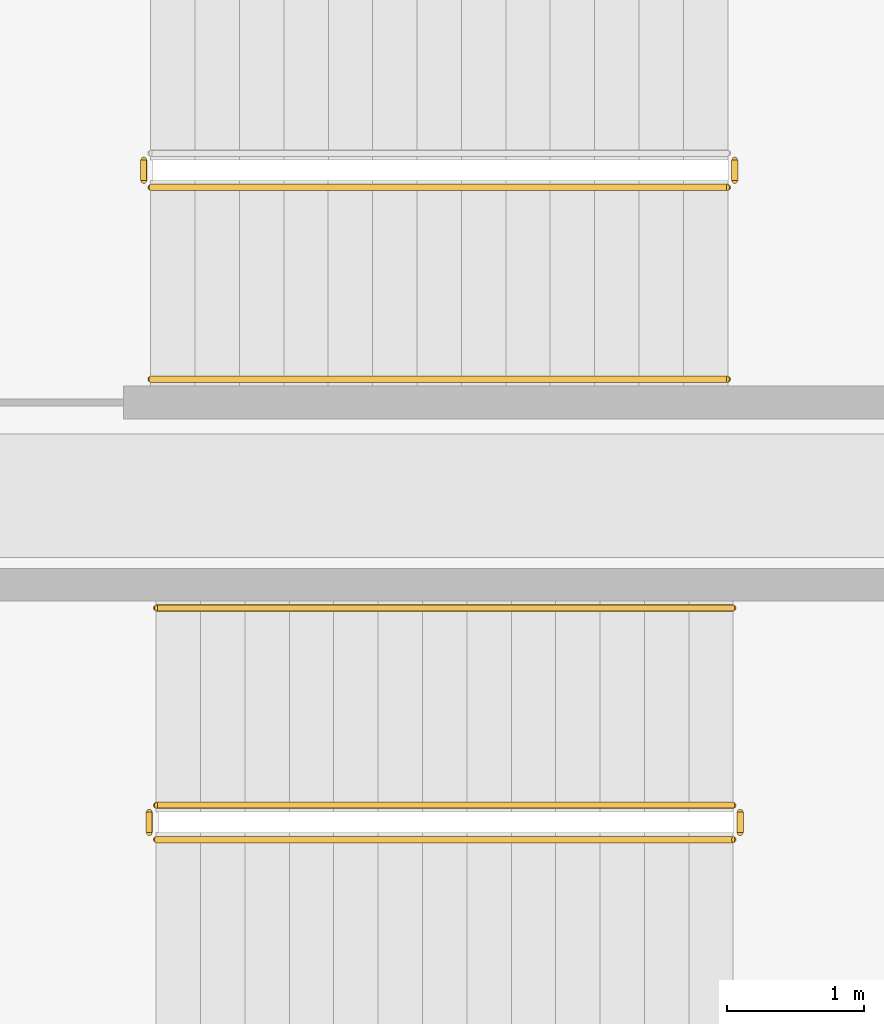
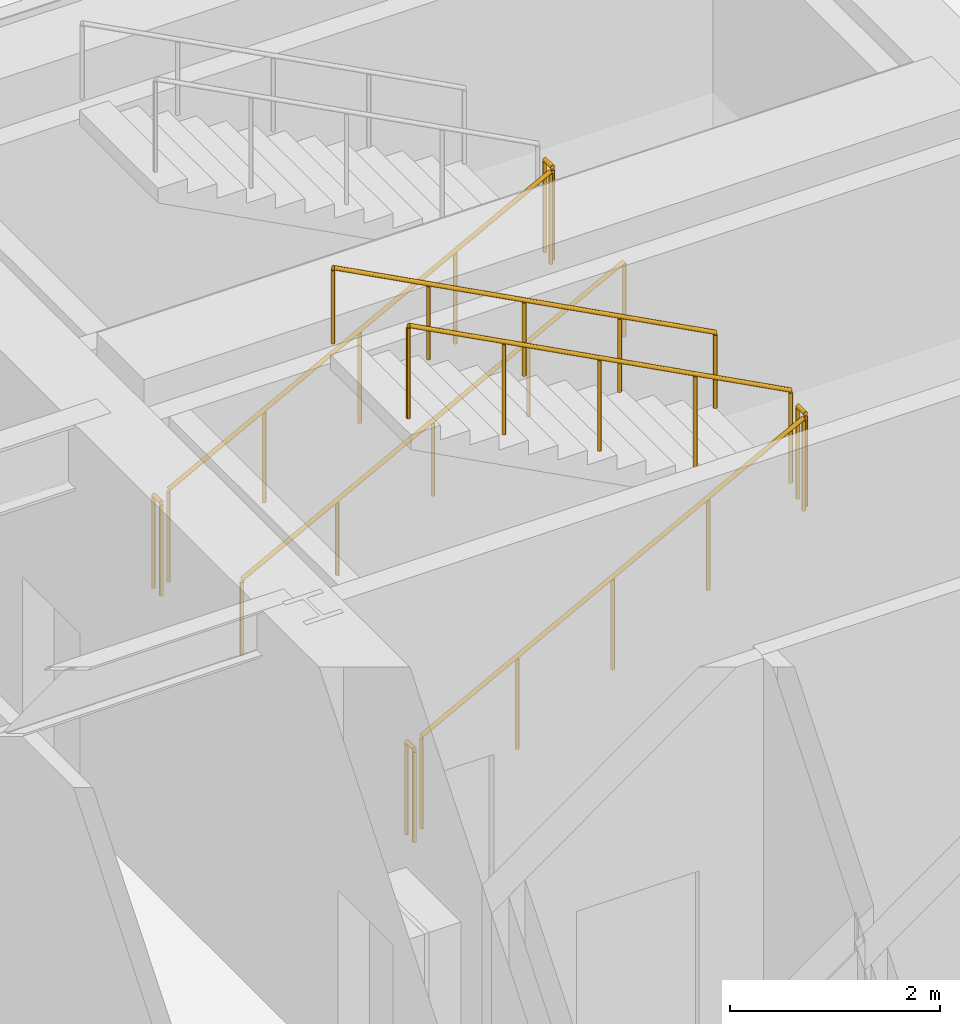
# One storey, part 13 of 14: 9 railings.
"""IFC4 building model written with IfcOpenShell, lengths in metres."""

from ifc_helpers import new_model, si_unit, direction, frame, origin, origin_2d, place, context, subcontext, project, spatial, circle, extrude, material, type_object, element, save


model = new_model("IFC4")

# Units and contexts
model_context = context("Model", 3, precision=1e-05, world=origin(), true_north=direction((0.0, 1.0)))
body_context = subcontext(model_context, "Body", "Model", "MODEL_VIEW")
ifc_project = project(units=[si_unit("LENGTHUNIT", "METRE"), si_unit("AREAUNIT", "SQUARE_METRE"), si_unit("VOLUMEUNIT", "CUBIC_METRE"), si_unit("PLANEANGLEUNIT", "RADIAN"), si_unit("MASSUNIT", "GRAM", prefix="KILO")], contexts=[model_context])

# Site, building, storey
site_placement = place(None, origin())
site = spatial("IfcSite", under=ifc_project, at=site_placement, CompositionType="ELEMENT")
building_placement = place(site_placement, origin())
building = spatial("IfcBuilding", under=site, at=building_placement, Name="Kolvaren Arena Tower", CompositionType="ELEMENT")
storey_placement = place(building_placement, frame((0.0, 0.0, 125.949951171875)))
storey = spatial("IfcBuildingStorey", under=building, at=storey_placement, Name="L29", CompositionType="ELEMENT", Elevation=125.949951171875)

# Railings
ifc_material_1 = material(Name="Painted galvanized steel", Category="steel")
railing_type_1 = type_object("IfcRailingType", Name="GUARD-ST-110", PredefinedType="GUARDRAIL", material=ifc_material_1)
railing_1_placement = place(storey_placement, frame((52.719970703125, 31.639892578125, 0.17138671875)))
element("IfcRailing", 1, at=railing_1_placement, inside=storey, type_object=railing_type_1, Name="L29 ST-E1 stair guard 1", PredefinedType="GUARDRAIL", context=body_context, shape_type="SweptSolid", body=[
    extrude(circle(Radius=0.02392578125, at=origin_2d()), frame((0.0, 0.0, 1.076171875), z_axis=(0.883881365342, 0.0, 0.467711163007), x_axis=(0.0, 1.0, 0.0)), (0.0, 0.0, 1.0), 4.76513671875),
    extrude(circle(Radius=0.02099609375, at=origin_2d()), origin(), (0.0, 0.0, 1.0), 1.052001953125),
    extrude(circle(Radius=0.02099609375, at=origin_2d()), frame((1.052978515625, 0.0, 0.55712890625)), (0.0, 0.0, 1.0), 1.052001953125),
    extrude(circle(Radius=0.02099609375, at=origin_2d()), frame((2.10595703125, 0.0, 1.1142578125)), (0.0, 0.0, 1.0), 1.052001953125),
    extrude(circle(Radius=0.02099609375, at=origin_2d()), frame((3.158935546875, 0.0, 1.671630859375)), (0.0, 0.0, 1.0), 1.052001953125),
    extrude(circle(Radius=0.02099609375, at=origin_2d()), frame((4.2119140625, 0.0, 2.228759765625)), (0.0, 0.0, 1.0), 1.052001953125),
])
railing_2_placement = place(storey_placement, frame((56.98193359375, 31.68994140625, 2.400146484375)))
element("IfcRailing", 2, at=railing_2_placement, inside=storey, type_object=railing_type_1, Name="L29 ST-E1 stair guard 2", PredefinedType="GUARDRAIL", context=body_context, shape_type="SweptSolid", body=[
    extrude(circle(Radius=0.02392578125, at=origin_2d()), frame((0.0, 0.0, 1.076171875), z_axis=(0.0, 1.0, 0.0), x_axis=(-1.0, 0.0, 0.0)), (0.0, 0.0, 1.0), 0.150146484375),
    extrude(circle(Radius=0.02099609375, at=origin_2d()), origin(), (0.0, 0.0, 1.0), 1.052001953125),
    extrude(circle(Radius=0.02099609375, at=origin_2d()), frame((0.0, 0.150146484375, 0.0)), (0.0, 0.0, 1.0), 1.052001953125),
])
railing_3_placement = place(storey_placement, frame((56.931884765625, 31.889892578125, 2.571533203125)))
element("IfcRailing", 3, at=railing_3_placement, inside=storey, type_object=railing_type_1, Name="L29 ST-E1 stair guard 3", PredefinedType="GUARDRAIL", context=body_context, shape_type="SweptSolid", body=[
    extrude(circle(Radius=0.02392578125, at=origin_2d()), frame((0.0, 0.0, 1.076171875), z_axis=(-0.883902544957, 0.0, 0.467671135542), x_axis=(0.0, -1.0, 0.0)), (0.0, 0.0, 1.0), 4.76513671875),
    extrude(circle(Radius=0.02099609375, at=origin_2d()), origin(), (0.0, 0.0, 1.0), 1.052001953125),
    extrude(circle(Radius=0.02099609375, at=origin_2d()), frame((-1.052978515625, 0.0, 0.55712890625)), (0.0, 0.0, 1.0), 1.052001953125),
    extrude(circle(Radius=0.02099609375, at=origin_2d()), frame((-2.10595703125, 0.0, 1.1142578125)), (0.0, 0.0, 1.0), 1.052001953125),
    extrude(circle(Radius=0.02099609375, at=origin_2d()), frame((-3.158935546875, 0.0, 1.67138671875)), (0.0, 0.0, 1.0), 1.052001953125),
    extrude(circle(Radius=0.02099609375, at=origin_2d()), frame((-4.2119140625, 0.0, 2.228515625)), (0.0, 0.0, 1.0), 1.052001953125),
])
railing_4_placement = place(storey_placement, frame((52.669921875, 31.68994140625, 0.0)))
element("IfcRailing", 4, at=railing_4_placement, inside=storey, type_object=railing_type_1, Name="L29 ST-E1 stair guard 4", PredefinedType="GUARDRAIL", context=body_context, shape_type="SweptSolid", body=[
    extrude(circle(Radius=0.02392578125, at=origin_2d()), frame((0.0, 0.0, 1.076171875), z_axis=(0.0, 1.0, 0.0), x_axis=(-1.0, 0.0, 0.0)), (0.0, 0.0, 1.0), 0.150146484375),
    extrude(circle(Radius=0.02099609375, at=origin_2d()), origin(), (0.0, 0.0, 1.0), 1.052001953125),
    extrude(circle(Radius=0.02099609375, at=origin_2d()), frame((0.0, 0.150146484375, 0.0)), (0.0, 0.0, 1.0), 1.052001953125),
])
railing_5_placement = place(storey_placement, frame((52.679931640625, 36.39990234375, 0.17138671875)))
element("IfcRailing", 5, at=railing_5_placement, inside=storey, type_object=railing_type_1, Name="L29 ST-E2 stair guard 1", PredefinedType="GUARDRAIL", context=body_context, shape_type="SweptSolid", body=[
    extrude(circle(Radius=0.02392578125, at=origin_2d()), frame((0.0, 0.0, 1.076171875), z_axis=(0.883892572113, 0.0, 0.467689983818), x_axis=(0.0, 1.0, 0.0)), (0.0, 0.0, 1.0), 4.765380859375),
    extrude(circle(Radius=0.02099609375, at=origin_2d()), origin(), (0.0, 0.0, 1.0), 1.052001953125),
    extrude(circle(Radius=0.02099609375, at=origin_2d()), frame((1.052978515625, 0.0, 0.55712890625)), (0.0, 0.0, 1.0), 1.052001953125),
    extrude(circle(Radius=0.02099609375, at=origin_2d()), frame((2.10595703125, 0.0, 1.1142578125)), (0.0, 0.0, 1.0), 1.052001953125),
    extrude(circle(Radius=0.02099609375, at=origin_2d()), frame((3.1591796875, 0.0, 1.671630859375)), (0.0, 0.0, 1.0), 1.052001953125),
    extrude(circle(Radius=0.02099609375, at=origin_2d()), frame((4.212158203125, 0.0, 2.228759765625)), (0.0, 0.0, 1.0), 1.052001953125),
])
for number, where, name in (
    (6, (56.94189453125, 36.449951171875, 2.400146484375), "L29 ST-E2 stair guard 2"),
    (7, (52.6298828125, 36.449951171875, 0.0), "L29 ST-E2 stair guard 4"),
):
    element("IfcRailing", number, at=place(storey_placement, frame(where)), inside=storey, type_object=railing_type_1, Name=name, PredefinedType="GUARDRAIL", context=body_context, shape_type="SweptSolid", body=[
        extrude(circle(Radius=0.02392578125, at=origin_2d()), frame((0.0, 0.0, 1.076171875), z_axis=(0.0, 1.0, 0.0), x_axis=(-1.0, 0.0, 0.0)), (0.0, 0.0, 1.0), 0.150146484375),
        extrude(circle(Radius=0.02099609375, at=origin_2d()), origin(), (0.0, 0.0, 1.0), 1.052001953125),
        extrude(circle(Radius=0.02099609375, at=origin_2d()), frame((0.0, 0.150146484375, 0.0)), (0.0, 0.0, 1.0), 1.052001953125),
    ])
ifc_material_2 = material(Name="Brushed stainless steel handrail", Category="steel")
railing_type_2 = type_object("IfcRailingType", Name="HRAIL-900", PredefinedType="HANDRAIL", material=ifc_material_2)
railing_6_placement = place(storey_placement, frame((56.931884765625, 33.330078125, 2.571533203125)))
element("IfcRailing", 8, at=railing_6_placement, inside=storey, type_object=railing_type_2, Name="L29 ST-E1 stair handrail 2", PredefinedType="HANDRAIL", context=body_context, shape_type="SweptSolid", body=[
    extrude(circle(Radius=0.02392578125, at=origin_2d()), frame((0.0, 0.0, 0.8759765625), z_axis=(-0.883902544957, 0.0, 0.467671135542), x_axis=(0.0, -1.0, 0.0)), (0.0, 0.0, 1.0), 4.76513671875),
    extrude(circle(Radius=0.02099609375, at=origin_2d()), origin(), (0.0, 0.0, 1.0), 0.851806640625),
    extrude(circle(Radius=0.02099609375, at=origin_2d()), frame((-1.052978515625, 0.0, 0.55712890625)), (0.0, 0.0, 1.0), 0.851806640625),
    extrude(circle(Radius=0.02099609375, at=origin_2d()), frame((-2.10595703125, 0.0, 1.1142578125)), (0.0, 0.0, 1.0), 0.851806640625),
    extrude(circle(Radius=0.02099609375, at=origin_2d()), frame((-3.158935546875, 0.0, 1.67138671875)), (0.0, 0.0, 1.0), 0.851806640625),
    extrude(circle(Radius=0.02099609375, at=origin_2d()), frame((-4.2119140625, 0.0, 2.228515625)), (0.0, 0.0, 1.0), 0.851806640625),
])
railing_7_placement = place(storey_placement, frame((52.679931640625, 35.0, 0.17138671875)))
element("IfcRailing", 9, at=railing_7_placement, inside=storey, type_object=railing_type_2, Name="L29 ST-E2 stair handrail 1", PredefinedType="HANDRAIL", context=body_context, shape_type="SweptSolid", body=[
    extrude(circle(Radius=0.02392578125, at=origin_2d()), frame((0.0, 0.0, 0.8759765625), z_axis=(0.883892572113, 0.0, 0.467689983818), x_axis=(0.0, 1.0, 0.0)), (0.0, 0.0, 1.0), 4.765380859375),
    extrude(circle(Radius=0.02099609375, at=origin_2d()), origin(), (0.0, 0.0, 1.0), 0.851806640625),
    extrude(circle(Radius=0.02099609375, at=origin_2d()), frame((1.052978515625, 0.0, 0.55712890625)), (0.0, 0.0, 1.0), 0.851806640625),
    extrude(circle(Radius=0.02099609375, at=origin_2d()), frame((2.10595703125, 0.0, 1.1142578125)), (0.0, 0.0, 1.0), 0.851806640625),
    extrude(circle(Radius=0.02099609375, at=origin_2d()), frame((3.1591796875, 0.0, 1.671630859375)), (0.0, 0.0, 1.0), 0.851806640625),
    extrude(circle(Radius=0.02099609375, at=origin_2d()), frame((4.212158203125, 0.0, 2.228759765625)), (0.0, 0.0, 1.0), 0.851806640625),
])

save(model, "model.ifc")
